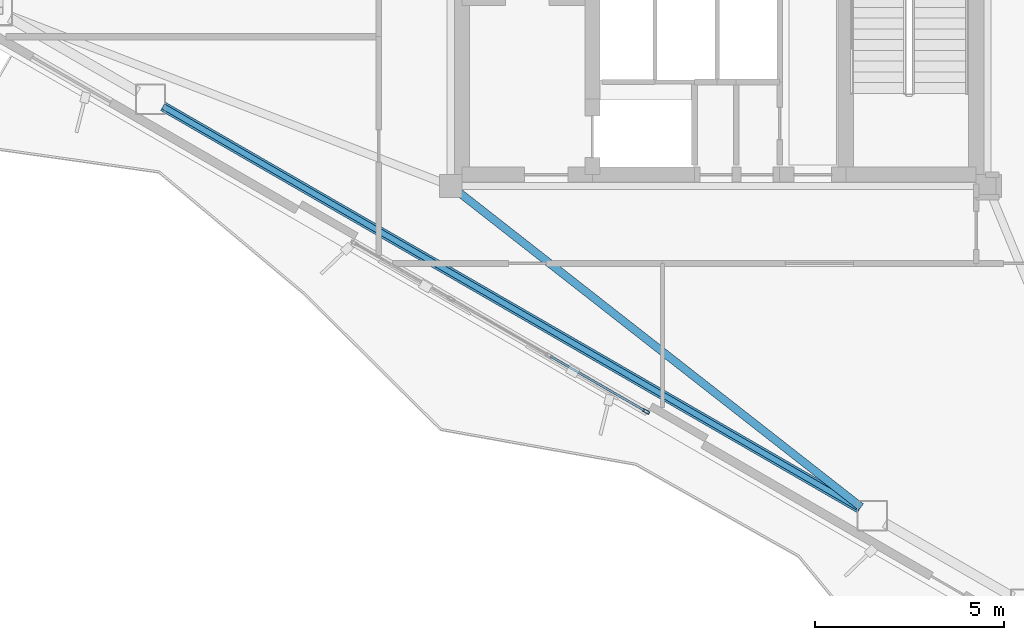
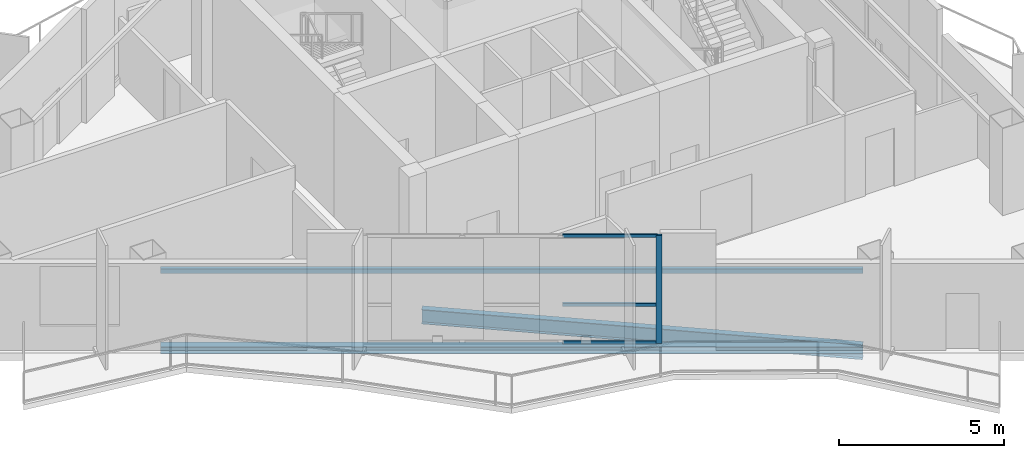
# One storey, part 3 of 15: 4 members, 3 beams, 1 element without a shape of its own.
"""IFC4 building model written with IfcOpenShell, lengths in metres."""

from ifc_helpers import new_model, si_unit, direction, frame, origin, origin_2d, place, context, subcontext, project, spatial, hollow_rectangle, i_section, extrude, material, layer, layer_set, material_profile, profile_set, type_object, element, aggregate, save


model = new_model("IFC4")

# Units and contexts
model_context = context("Model", 3, precision=1e-05, world=origin(), true_north=direction((0.0, 1.0)))
body_context = subcontext(model_context, "Body", "Model", "MODEL_VIEW")
ifc_project = project(units=[si_unit("LENGTHUNIT", "METRE"), si_unit("AREAUNIT", "SQUARE_METRE"), si_unit("VOLUMEUNIT", "CUBIC_METRE"), si_unit("PLANEANGLEUNIT", "RADIAN"), si_unit("MASSUNIT", "GRAM", prefix="KILO")], contexts=[model_context])

# Site, building, storey
site_placement = place(None, origin())
site = spatial("IfcSite", under=ifc_project, at=site_placement, CompositionType="ELEMENT")
building_placement = place(site_placement, origin())
building = spatial("IfcBuilding", under=site, at=building_placement, Name="Mersakhor Tower and Convention Hall", CompositionType="ELEMENT")
storey_placement = place(building_placement, frame((0.0, 0.0, 218.39990234375)))
storey = spatial("IfcBuildingStorey", under=building, at=storey_placement, Name="L61", CompositionType="ELEMENT", Elevation=218.39990234375)

# Beams
ifc_material_1 = material(Name="Steel S355", Category="steel")
ifc_material_profile_1 = material_profile(ifc_material_1, i_section(OverallWidth=0.2099609375, OverallDepth=0.53662109375, WebThickness=0.0107421875, FlangeThickness=0.017333984375, at=origin_2d()), Name="UB 533x210x101")
ifc_profile_set_1 = profile_set([ifc_material_profile_1], Name="Steel S355")
beam_type_1 = type_object("IfcBeamType", Name="BM-FB-533", PredefinedType="BEAM", material=ifc_profile_set_1)
beam_1_placement = place(storey_placement, frame((22.12060546875, 20.27734375, -0.548095703125), z_axis=(0.78749660582, -0.616318988692, 0.0), x_axis=(0.616318988692, 0.78749660582, 0.0)))
element("IfcBeam", 1, at=beam_1_placement, inside=storey, type_object=beam_type_1, Name="L61 Primary Floor Girder FG-5", PredefinedType="BEAM", context=body_context, shape_type="SweptSolid", body=[
    extrude(i_section(OverallWidth=0.2099609375, OverallDepth=0.53662109375, WebThickness=0.0107421875, FlangeThickness=0.017333984375, at=origin_2d()), origin(), (0.0, 0.0, 1.0), 13.500732421875),
])
ifc_material_2 = material(Name="Steel S355", Category="steel")
ifc_material_profile_2 = material_profile(ifc_material_2, hollow_rectangle(XDim=0.14990234375, YDim=0.14990234375, WallThickness=0.010009765625, at=origin_2d()), Name="SHS 150x150x10")
ifc_profile_set_2 = profile_set([ifc_material_profile_2], Name="Steel S355")
beam_type_2 = type_object("IfcBeamType", Name="BM-GRT-SHS150", PredefinedType="USERDEFINED", material=ifc_profile_set_2)
beam_2_placement = place(storey_placement, frame((32.72265625, 11.912353515625, 2.47998046875), z_axis=(-0.866024569776, 0.500001444543, 0.0), x_axis=(-0.500001444543, -0.866024569776, 0.0)))
element("IfcBeam", 2, at=beam_2_placement, inside=storey, type_object=beam_type_2, Name="L61 Facade Support Girt GRT-F3", ObjectType="GIRT", PredefinedType="USERDEFINED", context=body_context, shape_type="SweptSolid", body=[
    extrude(hollow_rectangle(XDim=0.14990234375, YDim=0.14990234375, WallThickness=0.010009765625, at=origin_2d()), origin(), (0.0, 0.0, 1.0), 21.28564453125),
])
ifc_material_3 = material(Name="Steel S355", Category="steel")
ifc_material_profile_3 = material_profile(ifc_material_3, i_section(OverallWidth=0.25634765625, OverallDepth=0.26025390625, WebThickness=0.01025390625, FlangeThickness=0.017333984375, at=origin_2d()), Name="UC 254x254x89")
ifc_profile_set_3 = profile_set([ifc_material_profile_3], Name="Steel S355")
beam_type_3 = type_object("IfcBeamType", Name="BM-SPD-UC254", PredefinedType="SPANDREL", material=ifc_profile_set_3)
beam_3_placement = place(storey_placement, frame((32.72265625, 11.912353515625, -0.409912109375), z_axis=(-0.866024569776, 0.500001444543, 0.0), x_axis=(-0.500001444543, -0.866024569776, 0.0)))
element("IfcBeam", 3, at=beam_3_placement, inside=storey, type_object=beam_type_3, Name="L61 Perimeter Spandrel Beam SPB-10", PredefinedType="SPANDREL", context=body_context, shape_type="SweptSolid", body=[
    extrude(i_section(OverallWidth=0.25634765625, OverallDepth=0.26025390625, WebThickness=0.01025390625, FlangeThickness=0.017333984375, at=origin_2d()), origin(), (0.0, 0.0, 1.0), 21.28564453125),
])

# Curtain wall, members
ifc_material_4 = material(Name="Dark solar low-E aluminium curtain wall", Category="aluminium")
ifc_layer = layer(ifc_material_4, 0.199951171875)
ifc_layer_set = layer_set([ifc_layer], Name="Dark solar low-E aluminium curtain wall")
curtain_wall_type = type_object("IfcCurtainWallType", Name="CW-SYS-05", PredefinedType="USERDEFINED", material=ifc_layer_set)
curtain_wall_placement = place(storey_placement, origin())
curtain_wall = element("IfcCurtainWall", 4, at=curtain_wall_placement, inside=storey, type_object=curtain_wall_type, Name="L61 Dark-Glass Curtain Wall F3-B2", ObjectType="CURTAIN WALL", PredefinedType="USERDEFINED")
ifc_material_5 = material(Name="Anodised aluminium EN AW-6063 T6", Category="aluminium")
ifc_material_profile_4 = material_profile(ifc_material_5, hollow_rectangle(XDim=0.080078125, YDim=0.179931640625, WallThickness=0.008056640625, at=origin_2d()), Name="RHS 180x80x8")
ifc_profile_set_4 = profile_set([ifc_material_profile_4], Name="Anodised aluminium EN AW-6063 T6")
member_type_1 = type_object("IfcMemberType", Name="CWM-180x80", PredefinedType="MULLION", material=ifc_profile_set_4)
member_1_placement = place(storey_placement, frame((27.06787109375, 14.484375, 0.2001953125), z_axis=(0.0, 0.0, 1.0), x_axis=(-0.500007824483, -0.86602088627, 0.0)))
member_1 = element("IfcMember", 5, at=member_1_placement, type_object=member_type_1, Name="CW-05 mullion 1", PredefinedType="MULLION", context=body_context, shape_type="SweptSolid", body=[
    extrude(hollow_rectangle(XDim=0.080078125, YDim=0.179931640625, WallThickness=0.008056640625, at=origin_2d()), origin(), (0.0, 0.0, 1.0), 4.0),
])
ifc_material_6 = material(Name="Anodised aluminium EN AW-6063 T6", Category="aluminium")
ifc_material_profile_5 = material_profile(ifc_material_6, hollow_rectangle(XDim=0.06005859375, YDim=0.1201171875, WallThickness=0.0048828125, at=origin_2d()), Name="RHS 120x60x5")
ifc_profile_set_5 = profile_set([ifc_material_profile_5], Name="Anodised aluminium EN AW-6063 T6")
member_type_2 = type_object("IfcMemberType", Name="CWT-120x60", PredefinedType="USERDEFINED", material=ifc_profile_set_5)
member_2_placement = place(storey_placement, frame((27.033203125, 14.50439453125, 0.22998046875), z_axis=(-0.866011930837, 0.500023335103, 0.0), x_axis=(-0.500023335103, -0.866011930837, 0.0)))
member_2 = element("IfcMember", 6, at=member_2_placement, type_object=member_type_2, Name="CW-05 transom 1.1", ObjectType="TRANSOM", PredefinedType="USERDEFINED", context=body_context, shape_type="SweptSolid", body=[
    extrude(hollow_rectangle(XDim=0.06005859375, YDim=0.1201171875, WallThickness=0.0048828125, at=origin_2d()), origin(), (0.0, 0.0, 1.0), 2.879638671875),
])
member_3_placement = place(storey_placement, frame((27.033203125, 14.50439453125, 1.6201171875), z_axis=(-0.866011930837, 0.500023335103, 0.0), x_axis=(-0.500023335103, -0.866011930837, 0.0)))
member_3 = element("IfcMember", 7, at=member_3_placement, type_object=member_type_2, Name="CW-05 transom 1.2", ObjectType="TRANSOM", PredefinedType="USERDEFINED", context=body_context, shape_type="SweptSolid", body=[
    extrude(hollow_rectangle(XDim=0.06005859375, YDim=0.1201171875, WallThickness=0.0048828125, at=origin_2d()), origin(), (0.0, 0.0, 1.0), 2.879638671875),
])
member_4_placement = place(storey_placement, frame((27.033203125, 14.50439453125, 4.170166015625), z_axis=(-0.866011930837, 0.500023335103, 0.0), x_axis=(-0.500023335103, -0.866011930837, 0.0)))
member_4 = element("IfcMember", 8, at=member_4_placement, type_object=member_type_2, Name="CW-05 transom 1.3", ObjectType="TRANSOM", PredefinedType="USERDEFINED", context=body_context, shape_type="SweptSolid", body=[
    extrude(hollow_rectangle(XDim=0.06005859375, YDim=0.1201171875, WallThickness=0.0048828125, at=origin_2d()), origin(), (0.0, 0.0, 1.0), 2.879638671875),
])
aggregate(curtain_wall, [member_1, member_2, member_3, member_4])

save(model, "model.ifc")
